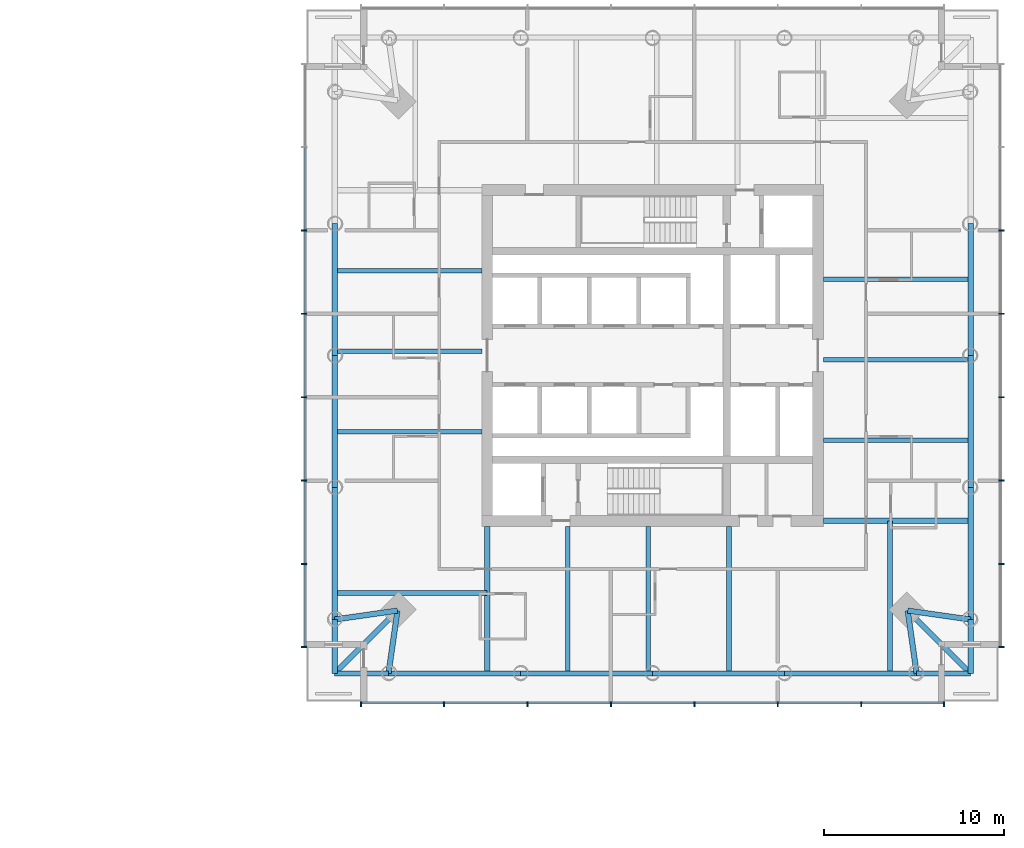
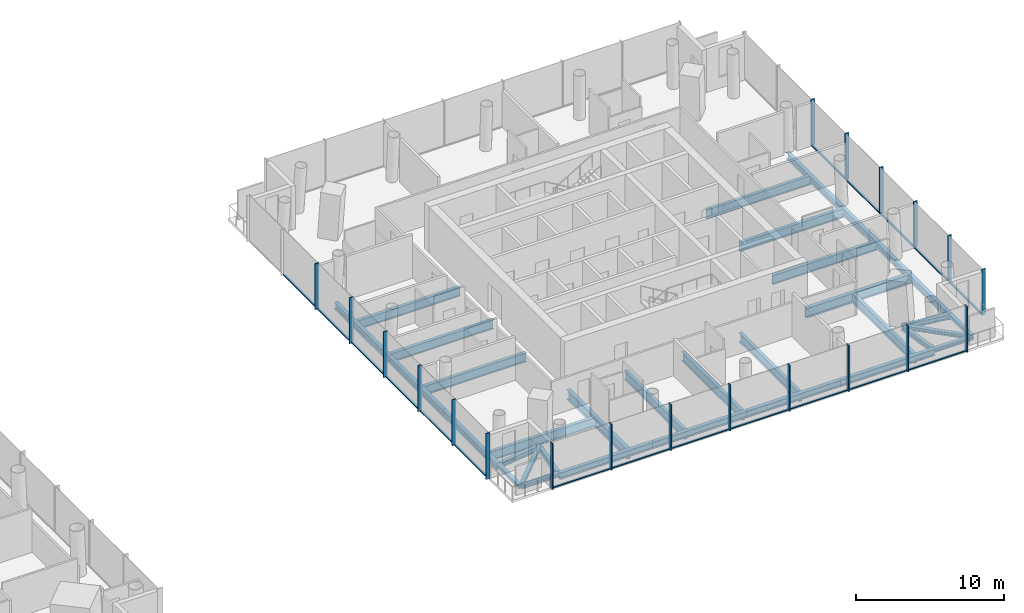
# One storey, part 5 of 26: 38 members, 33 beams, 3 elements without a shape of their own.
"""IFC4 building model written with IfcOpenShell, lengths in metres."""

from ifc_helpers import new_model, si_unit, direction, frame, origin, origin_2d, place, context, subcontext, project, spatial, rectangle, i_section, extrude, material, material_profile, profile_set, type_object, element, aggregate, save


model = new_model("IFC4")

# Units and contexts
model_context = context("Model", 3, precision=1e-05, world=origin(), true_north=direction((0.0, 1.0)))
body_context = subcontext(model_context, "Body", "Model", "MODEL_VIEW")
ifc_project = project(units=[si_unit("LENGTHUNIT", "METRE"), si_unit("AREAUNIT", "SQUARE_METRE"), si_unit("VOLUMEUNIT", "CUBIC_METRE"), si_unit("PLANEANGLEUNIT", "RADIAN"), si_unit("MASSUNIT", "GRAM", prefix="KILO")], contexts=[model_context])

# Site, building, storey
site_placement = place(None, origin())
site = spatial("IfcSite", under=ifc_project, at=site_placement, CompositionType="ELEMENT")
building_placement = place(site_placement, origin())
building = spatial("IfcBuilding", under=site, at=building_placement, Name="Ostroluk Exchange", CompositionType="ELEMENT")
storey_placement = place(building_placement, frame((0.0, 0.0, 51.39990234375)))
storey = spatial("IfcBuildingStorey", under=building, at=storey_placement, Name="L12", CompositionType="ELEMENT", Elevation=51.39990234375)

# Beams
ifc_material_1 = material(Name="Steel S355", Category="steel")
ifc_material_profile_1 = material_profile(ifc_material_1, i_section(OverallWidth=0.300048828125, OverallDepth=0.300048828125, WebThickness=0.010986328125, FlangeThickness=0.01904296875, FilletRadius=0.027099609375, at=origin_2d()), Name="HEB 300")
ifc_profile_set_1 = profile_set([ifc_material_profile_1], Name="Steel S355")
beam_type_1 = type_object("IfcBeamType", Name="Balcony beam HEB 300", PredefinedType="BEAM", material=ifc_profile_set_1)
for number, where, z_axis, x_axis, name in (
    (1, (99.310302734375, 31.310302734375, -0.349853515625), (0.0, -1.0, 0.0), (1.0, 0.0, 0.0), "T2 west balcony beam a"),
    (2, (102.310302734375, 28.310302734375, -0.349853515625), (-1.0, 0.0, 0.0), (0.0, -1.0, 0.0), "T2 west balcony beam b"),
):
    element("IfcBeam", number, at=place(storey_placement, frame(where, z_axis=z_axis, x_axis=x_axis)), inside=storey, type_object=beam_type_1, Name=name, PredefinedType="BEAM", context=body_context, shape_type="SweptSolid", body=[
        extrude(i_section(OverallWidth=0.300048828125, OverallDepth=0.300048828125, WebThickness=0.010986328125, FlangeThickness=0.01904296875, FilletRadius=0.027099609375, at=origin_2d()), origin(), (0.0, 0.0, 1.0), 3.0),
    ])
beam_1_placement = place(storey_placement, frame((102.810302734375, 31.810302734375, -0.349853515625), z_axis=(-0.707106781187, -0.707106781187, 0.0), x_axis=(0.707106781187, -0.707106781187, 0.0)))
element("IfcBeam", 3, at=beam_1_placement, inside=storey, type_object=beam_type_1, Name="T2 west balcony beam c", PredefinedType="BEAM", context=body_context, shape_type="SweptSolid", body=[
    extrude(i_section(OverallWidth=0.300048828125, OverallDepth=0.300048828125, WebThickness=0.010986328125, FlangeThickness=0.01904296875, FilletRadius=0.027099609375, at=origin_2d()), origin(), (0.0, 0.0, 1.0), 4.94970703125),
])
for number, where, z_axis, x_axis, name in (
    (4, (131.689697265625, 28.310302734375, -0.349853515625), (1.0, 0.0, 0.0), (0.0, 1.0, 0.0), "T2 south balcony beam a"),
    (5, (134.689697265625, 31.310302734375, -0.349853515625), (0.0, -1.0, 0.0), (1.0, 0.0, 0.0), "T2 south balcony beam b"),
):
    element("IfcBeam", number, at=place(storey_placement, frame(where, z_axis=z_axis, x_axis=x_axis)), inside=storey, type_object=beam_type_1, Name=name, PredefinedType="BEAM", context=body_context, shape_type="SweptSolid", body=[
        extrude(i_section(OverallWidth=0.300048828125, OverallDepth=0.300048828125, WebThickness=0.010986328125, FlangeThickness=0.01904296875, FilletRadius=0.027099609375, at=origin_2d()), origin(), (0.0, 0.0, 1.0), 3.0),
    ])
beam_2_placement = place(storey_placement, frame((131.189697265625, 31.810302734375, -0.349853515625), z_axis=(0.707106781187, -0.707106781187, 0.0), x_axis=(0.707106781187, 0.707106781187, 0.0)))
element("IfcBeam", 6, at=beam_2_placement, inside=storey, type_object=beam_type_1, Name="T2 south balcony beam c", PredefinedType="BEAM", context=body_context, shape_type="SweptSolid", body=[
    extrude(i_section(OverallWidth=0.300048828125, OverallDepth=0.300048828125, WebThickness=0.010986328125, FlangeThickness=0.01904296875, FilletRadius=0.027099609375, at=origin_2d()), origin(), (0.0, 0.0, 1.0), 4.94970703125),
])
ifc_material_2 = material(Name="Steel S355", Category="steel")
ifc_material_profile_2 = material_profile(ifc_material_2, i_section(OverallWidth=0.300048828125, OverallDepth=0.39990234375, WebThickness=0.013427734375, FlangeThickness=0.02392578125, FilletRadius=0.027099609375, at=origin_2d()), Name="HEB 400")
ifc_profile_set_2 = profile_set([ifc_material_profile_2], Name="Steel S355")
beam_type_2 = type_object("IfcBeamType", Name="Corner edge beam HEB 400", PredefinedType="SPANDREL", material=ifc_profile_set_2)
for number, where, z_axis, x_axis, name in (
    (7, (102.810302734375, 31.810302734375, -0.39990234375), (-0.989949493661, -0.141421356237, 0.0), (0.141421356237, -0.989949493661, 0.0), "T2 west corner edge beam a"),
    (8, (102.810302734375, 31.810302734375, -0.39990234375), (-0.141421356237, -0.989949493661, 0.0), (0.989949493661, -0.141421356237, 0.0), "T2 west corner edge beam b"),
    (9, (131.189697265625, 31.810302734375, -0.39990234375), (0.141421356237, -0.989949493661, 0.0), (0.989949493661, 0.141421356237, 0.0), "T2 south corner edge beam a"),
    (10, (131.189697265625, 31.810302734375, -0.39990234375), (0.989949493661, -0.141421356237, 0.0), (0.141421356237, 0.989949493661, 0.0), "T2 south corner edge beam b"),
):
    element("IfcBeam", number, at=place(storey_placement, frame(where, z_axis=z_axis, x_axis=x_axis)), inside=storey, type_object=beam_type_2, Name=name, PredefinedType="SPANDREL", context=body_context, shape_type="SweptSolid", body=[
        extrude(i_section(OverallWidth=0.300048828125, OverallDepth=0.39990234375, WebThickness=0.013427734375, FlangeThickness=0.02392578125, FilletRadius=0.027099609375, at=origin_2d()), origin(), (0.0, 0.0, 1.0), 3.53564453125),
    ])
ifc_material_3 = material(Name="Steel S355", Category="steel")
ifc_material_profile_3 = material_profile(ifc_material_3, i_section(OverallWidth=0.264892578125, OverallDepth=0.7529296875, WebThickness=0.01318359375, FlangeThickness=0.01708984375, FilletRadius=0.01708984375, at=origin_2d()), Name="IPE 750x147")
ifc_profile_set_3 = profile_set([ifc_material_profile_3], Name="Steel S355")
beam_type_3 = type_object("IfcBeamType", Name="Floor beam IPE 750x147", PredefinedType="BEAM", material=ifc_profile_set_3)
for number, where, z_axis, x_axis, name in (
    (11, (126.5, 41.281494140625, -0.576416015625), (1.0, 0.0, 0.0), (0.0, 1.0, 0.0), "T2 east floor beam 1"),
    (12, (126.5, 45.76318359375, -0.576416015625), (1.0, 0.0, 0.0), (0.0, 1.0, 0.0), "T2 east floor beam 2"),
    (13, (126.5, 50.244873046875, -0.576416015625), (1.0, 0.0, 0.0), (0.0, 1.0, 0.0), "T2 east floor beam 3"),
    (14, (107.5, 50.718505859375, -0.576416015625), (-1.0, 0.0, 0.0), (0.0, -1.0, 0.0), "T2 west floor beam 1"),
    (15, (107.5, 46.23681640625, -0.576416015625), (-1.0, 0.0, 0.0), (0.0, -1.0, 0.0), "T2 west floor beam 2"),
    (16, (107.5, 41.755126953125, -0.576416015625), (-1.0, 0.0, 0.0), (0.0, -1.0, 0.0), "T2 west floor beam 3"),
):
    element("IfcBeam", number, at=place(storey_placement, frame(where, z_axis=z_axis, x_axis=x_axis)), inside=storey, type_object=beam_type_3, Name=name, PredefinedType="BEAM", context=body_context, shape_type="SweptSolid", body=[
        extrude(i_section(OverallWidth=0.264892578125, OverallDepth=0.7529296875, WebThickness=0.01318359375, FlangeThickness=0.01708984375, FilletRadius=0.01708984375, at=origin_2d()), origin(), (0.0, 0.0, 1.0), 8.189697265625),
    ])
beam_3_placement = place(storey_placement, frame((107.800048828125, 32.7919921875, -0.576416015625), z_axis=(-1.0, 0.0, 0.0), x_axis=(0.0, -1.0, 0.0)))
element("IfcBeam", 17, at=beam_3_placement, inside=storey, type_object=beam_type_3, Name="T2 west floor beam 5", PredefinedType="BEAM", context=body_context, shape_type="SweptSolid", body=[
    extrude(i_section(OverallWidth=0.264892578125, OverallDepth=0.7529296875, WebThickness=0.01318359375, FlangeThickness=0.01708984375, FilletRadius=0.01708984375, at=origin_2d()), origin(), (0.0, 0.0, 1.0), 8.48974609375),
])
for number, where, z_axis, x_axis, name in (
    (18, (112.281494140625, 36.5, -0.576416015625), (0.0, -1.0, 0.0), (1.0, 0.0, 0.0), "T2 south floor beam 1"),
    (19, (116.76318359375, 36.5, -0.576416015625), (0.0, -1.0, 0.0), (1.0, 0.0, 0.0), "T2 south floor beam 2"),
    (20, (121.244873046875, 36.5, -0.576416015625), (0.0, -1.0, 0.0), (1.0, 0.0, 0.0), "T2 south floor beam 3"),
):
    element("IfcBeam", number, at=place(storey_placement, frame(where, z_axis=z_axis, x_axis=x_axis)), inside=storey, type_object=beam_type_3, Name=name, PredefinedType="BEAM", context=body_context, shape_type="SweptSolid", body=[
        extrude(i_section(OverallWidth=0.264892578125, OverallDepth=0.7529296875, WebThickness=0.01318359375, FlangeThickness=0.01708984375, FilletRadius=0.01708984375, at=origin_2d()), origin(), (0.0, 0.0, 1.0), 8.189697265625),
    ])
beam_4_placement = place(storey_placement, frame((130.2080078125, 36.800048828125, -0.576416015625), z_axis=(0.0, -1.0, 0.0), x_axis=(1.0, 0.0, 0.0)))
element("IfcBeam", 21, at=beam_4_placement, inside=storey, type_object=beam_type_3, Name="T2 south floor beam 5", PredefinedType="BEAM", context=body_context, shape_type="SweptSolid", body=[
    extrude(i_section(OverallWidth=0.264892578125, OverallDepth=0.7529296875, WebThickness=0.01318359375, FlangeThickness=0.01708984375, FilletRadius=0.01708984375, at=origin_2d()), origin(), (0.0, 0.0, 1.0), 8.48974609375),
])
ifc_material_4 = material(Name="Steel S355", Category="steel")
ifc_material_profile_4 = material_profile(ifc_material_4, i_section(OverallWidth=0.300048828125, OverallDepth=0.800048828125, WebThickness=0.017578125, FlangeThickness=0.032958984375, FilletRadius=0.030029296875, at=origin_2d()), Name="HEB 800")
ifc_profile_set_4 = profile_set([ifc_material_profile_4], Name="Steel S355")
beam_type_4 = type_object("IfcBeamType", Name="Girder HEB 800", PredefinedType="BEAM", material=ifc_profile_set_4)
for number, where, z_axis, x_axis, name in (
    (22, (107.800048828125, 36.5, -0.599853515625), (0.0, -1.0, 0.0), (1.0, 0.0, 0.0), "T2 west girder"),
    (23, (126.5, 36.800048828125, -0.599853515625), (1.0, 0.0, 0.0), (0.0, 1.0, 0.0), "T2 south girder"),
):
    element("IfcBeam", number, at=place(storey_placement, frame(where, z_axis=z_axis, x_axis=x_axis)), inside=storey, type_object=beam_type_4, Name=name, PredefinedType="BEAM", context=body_context, shape_type="SweptSolid", body=[
        extrude(i_section(OverallWidth=0.300048828125, OverallDepth=0.800048828125, WebThickness=0.017578125, FlangeThickness=0.032958984375, FilletRadius=0.030029296875, at=origin_2d()), origin(), (0.0, 0.0, 1.0), 8.189697265625),
    ])
ifc_material_5 = material(Name="Steel S355", Category="steel")
ifc_material_profile_5 = material_profile(ifc_material_5, i_section(OverallWidth=0.300048828125, OverallDepth=0.550048828125, WebThickness=0.014892578125, FlangeThickness=0.029052734375, FilletRadius=0.027099609375, at=origin_2d()), Name="HEB 550")
ifc_profile_set_5 = profile_set([ifc_material_profile_5], Name="Steel S355")
beam_type_5 = type_object("IfcBeamType", Name="Moment-connected edge beam HEB 550", PredefinedType="SPANDREL", material=ifc_profile_set_5)
beam_5_placement = place(storey_placement, frame((134.689697265625, 31.310302734375, -0.474853515625), z_axis=(0.0, 1.0, 0.0), x_axis=(-1.0, 0.0, 0.0)))
element("IfcBeam", 24, at=beam_5_placement, inside=storey, type_object=beam_type_5, Name="T2 east edge beam 1", PredefinedType="SPANDREL", context=body_context, shape_type="SweptSolid", body=[
    extrude(i_section(OverallWidth=0.300048828125, OverallDepth=0.550048828125, WebThickness=0.014892578125, FlangeThickness=0.029052734375, FilletRadius=0.027099609375, at=origin_2d()), origin(), (0.0, 0.0, 1.0), 7.344970703125),
])
for number, where, z_axis, x_axis, name in (
    (25, (134.689697265625, 38.6552734375, -0.474853515625), (0.0, 1.0, 0.0), (-1.0, 0.0, 0.0), "T2 east edge beam 2"),
    (26, (134.689697265625, 46.0, -0.474853515625), (0.0, 1.0, 0.0), (-1.0, 0.0, 0.0), "T2 east edge beam 3"),
    (27, (99.310302734375, 53.3447265625, -0.474853515625), (0.0, -1.0, 0.0), (1.0, 0.0, 0.0), "T2 west edge beam 2"),
    (28, (99.310302734375, 46.0, -0.474853515625), (0.0, -1.0, 0.0), (1.0, 0.0, 0.0), "T2 west edge beam 3"),
):
    element("IfcBeam", number, at=place(storey_placement, frame(where, z_axis=z_axis, x_axis=x_axis)), inside=storey, type_object=beam_type_5, Name=name, PredefinedType="SPANDREL", context=body_context, shape_type="SweptSolid", body=[
        extrude(i_section(OverallWidth=0.300048828125, OverallDepth=0.550048828125, WebThickness=0.014892578125, FlangeThickness=0.029052734375, FilletRadius=0.027099609375, at=origin_2d()), origin(), (0.0, 0.0, 1.0), 7.3447265625),
    ])
for number, where, z_axis, x_axis, name in (
    (29, (99.310302734375, 38.6552734375, -0.474853515625), (0.0, -1.0, 0.0), (1.0, 0.0, 0.0), "T2 west edge beam 4"),
    (30, (102.310302734375, 28.310302734375, -0.474853515625), (1.0, 0.0, 0.0), (0.0, 1.0, 0.0), "T2 south edge beam 1"),
):
    element("IfcBeam", number, at=place(storey_placement, frame(where, z_axis=z_axis, x_axis=x_axis)), inside=storey, type_object=beam_type_5, Name=name, PredefinedType="SPANDREL", context=body_context, shape_type="SweptSolid", body=[
        extrude(i_section(OverallWidth=0.300048828125, OverallDepth=0.550048828125, WebThickness=0.014892578125, FlangeThickness=0.029052734375, FilletRadius=0.027099609375, at=origin_2d()), origin(), (0.0, 0.0, 1.0), 7.344970703125),
    ])
for number, where, z_axis, x_axis, name in (
    (31, (109.6552734375, 28.310302734375, -0.474853515625), (1.0, 0.0, 0.0), (0.0, 1.0, 0.0), "T2 south edge beam 2"),
    (32, (117.0, 28.310302734375, -0.474853515625), (1.0, 0.0, 0.0), (0.0, 1.0, 0.0), "T2 south edge beam 3"),
):
    element("IfcBeam", number, at=place(storey_placement, frame(where, z_axis=z_axis, x_axis=x_axis)), inside=storey, type_object=beam_type_5, Name=name, PredefinedType="SPANDREL", context=body_context, shape_type="SweptSolid", body=[
        extrude(i_section(OverallWidth=0.300048828125, OverallDepth=0.550048828125, WebThickness=0.014892578125, FlangeThickness=0.029052734375, FilletRadius=0.027099609375, at=origin_2d()), origin(), (0.0, 0.0, 1.0), 7.3447265625),
    ])
beam_6_placement = place(storey_placement, frame((124.3447265625, 28.310302734375, -0.474853515625), z_axis=(1.0, 0.0, 0.0), x_axis=(0.0, 1.0, 0.0)))
element("IfcBeam", 33, at=beam_6_placement, inside=storey, type_object=beam_type_5, Name="T2 south edge beam 4", PredefinedType="SPANDREL", context=body_context, shape_type="SweptSolid", body=[
    extrude(i_section(OverallWidth=0.300048828125, OverallDepth=0.550048828125, WebThickness=0.014892578125, FlangeThickness=0.029052734375, FilletRadius=0.027099609375, at=origin_2d()), origin(), (0.0, 0.0, 1.0), 7.344970703125),
])

# Curtain wall, members
ifc_material_6 = material(Name="Laminated clear glass", Category="glass")
curtain_wall_type = type_object("IfcCurtainWallType", Name="Hotel guest floor facade", PredefinedType="USERDEFINED", material=ifc_material_6)
curtain_wall_1_placement = place(storey_placement, origin())
curtain_wall_1 = element("IfcCurtainWall", 34, at=curtain_wall_1_placement, inside=storey, type_object=curtain_wall_type, Name="Hotel tower south facade L12", ObjectType="UNITISED CURTAIN WALL", PredefinedType="USERDEFINED")
ifc_material_7 = material(Name="Aluminium mullion", Category="aluminium")
ifc_material_profile_6 = material_profile(ifc_material_7, rectangle(XDim=0.14990234375, YDim=0.080078125, at=origin_2d()), Name="Sill transom 80 x 150")
ifc_profile_set_6 = profile_set([ifc_material_profile_6], Name="Aluminium mullion")
member_type_1 = type_object("IfcMemberType", Name="Sill transom 80 x 150", PredefinedType="USERDEFINED", material=ifc_profile_set_6)
member_1_placement = place(storey_placement, frame((100.830078125, 26.675048828125, 0.0400390625), z_axis=(1.0, 0.0, 0.0), x_axis=(0.0, 1.0, 0.0)))
member_1 = element("IfcMember", 35, at=member_1_placement, type_object=member_type_1, Name="CW-H1 transom 1.1", ObjectType="TRANSOM", PredefinedType="USERDEFINED", context=body_context, shape_type="SweptSolid", body=[
    extrude(rectangle(XDim=0.14990234375, YDim=0.080078125, at=origin_2d()), origin(), (0.0, 0.0, 1.0), 4.522705078125),
])
member_2_placement = place(storey_placement, frame((105.432861328125, 26.675048828125, 0.0400390625), z_axis=(1.0, 0.0, 0.0), x_axis=(0.0, 1.0, 0.0)))
member_2 = element("IfcMember", 36, at=member_2_placement, type_object=member_type_1, Name="CW-H1 transom 2.1", ObjectType="TRANSOM", PredefinedType="USERDEFINED", context=body_context, shape_type="SweptSolid", body=[
    extrude(rectangle(XDim=0.14990234375, YDim=0.080078125, at=origin_2d()), origin(), (0.0, 0.0, 1.0), 4.562744140625),
])
member_3_placement = place(storey_placement, frame((110.07568359375, 26.675048828125, 0.0400390625), z_axis=(1.0, 0.0, 0.0), x_axis=(0.0, 1.0, 0.0)))
member_3 = element("IfcMember", 37, at=member_3_placement, type_object=member_type_1, Name="CW-H1 transom 3.1", ObjectType="TRANSOM", PredefinedType="USERDEFINED", context=body_context, shape_type="SweptSolid", body=[
    extrude(rectangle(XDim=0.14990234375, YDim=0.080078125, at=origin_2d()), origin(), (0.0, 0.0, 1.0), 4.56298828125),
])
member_4_placement = place(storey_placement, frame((114.718505859375, 26.675048828125, 0.0400390625), z_axis=(1.0, 0.0, 0.0), x_axis=(0.0, 1.0, 0.0)))
member_4 = element("IfcMember", 38, at=member_4_placement, type_object=member_type_1, Name="CW-H1 transom 4.1", ObjectType="TRANSOM", PredefinedType="USERDEFINED", context=body_context, shape_type="SweptSolid", body=[
    extrude(rectangle(XDim=0.14990234375, YDim=0.080078125, at=origin_2d()), origin(), (0.0, 0.0, 1.0), 4.56298828125),
])
member_5_placement = place(storey_placement, frame((119.361328125, 26.675048828125, 0.0400390625), z_axis=(1.0, 0.0, 0.0), x_axis=(0.0, 1.0, 0.0)))
member_5 = element("IfcMember", 39, at=member_5_placement, type_object=member_type_1, Name="CW-H1 transom 5.1", ObjectType="TRANSOM", PredefinedType="USERDEFINED", context=body_context, shape_type="SweptSolid", body=[
    extrude(rectangle(XDim=0.14990234375, YDim=0.080078125, at=origin_2d()), origin(), (0.0, 0.0, 1.0), 4.56298828125),
])
member_6_placement = place(storey_placement, frame((124.00439453125, 26.675048828125, 0.0400390625), z_axis=(1.0, 0.0, 0.0), x_axis=(0.0, 1.0, 0.0)))
member_6 = element("IfcMember", 40, at=member_6_placement, type_object=member_type_1, Name="CW-H1 transom 6.1", ObjectType="TRANSOM", PredefinedType="USERDEFINED", context=body_context, shape_type="SweptSolid", body=[
    extrude(rectangle(XDim=0.14990234375, YDim=0.080078125, at=origin_2d()), origin(), (0.0, 0.0, 1.0), 4.562744140625),
])
member_7_placement = place(storey_placement, frame((128.647216796875, 26.675048828125, 0.0400390625), z_axis=(1.0, 0.0, 0.0), x_axis=(0.0, 1.0, 0.0)))
member_7 = element("IfcMember", 41, at=member_7_placement, type_object=member_type_1, Name="CW-H1 transom 7.1", ObjectType="TRANSOM", PredefinedType="USERDEFINED", context=body_context, shape_type="SweptSolid", body=[
    extrude(rectangle(XDim=0.14990234375, YDim=0.080078125, at=origin_2d()), origin(), (0.0, 0.0, 1.0), 4.522705078125),
])

curtain_wall_2_placement = place(storey_placement, origin())
curtain_wall_2 = element("IfcCurtainWall", 42, at=curtain_wall_2_placement, inside=storey, type_object=curtain_wall_type, Name="Hotel tower east facade L12", ObjectType="UNITISED CURTAIN WALL", PredefinedType="USERDEFINED")
member_8_placement = place(storey_placement, frame((136.324951171875, 29.830078125, 0.0400390625), z_axis=(0.0, 1.0, 0.0), x_axis=(-1.0, 0.0, 0.0)))
member_8 = element("IfcMember", 43, at=member_8_placement, type_object=member_type_1, Name="CW-H1 transom 1.1", ObjectType="TRANSOM", PredefinedType="USERDEFINED", context=body_context, shape_type="SweptSolid", body=[
    extrude(rectangle(XDim=0.14990234375, YDim=0.080078125, at=origin_2d()), origin(), (0.0, 0.0, 1.0), 4.522705078125),
])
member_9_placement = place(storey_placement, frame((136.324951171875, 34.432861328125, 0.0400390625), z_axis=(0.0, 1.0, 0.0), x_axis=(-1.0, 0.0, 0.0)))
member_9 = element("IfcMember", 44, at=member_9_placement, type_object=member_type_1, Name="CW-H1 transom 2.1", ObjectType="TRANSOM", PredefinedType="USERDEFINED", context=body_context, shape_type="SweptSolid", body=[
    extrude(rectangle(XDim=0.14990234375, YDim=0.080078125, at=origin_2d()), origin(), (0.0, 0.0, 1.0), 4.562744140625),
])
member_10_placement = place(storey_placement, frame((136.324951171875, 39.07568359375, 0.0400390625), z_axis=(0.0, 1.0, 0.0), x_axis=(-1.0, 0.0, 0.0)))
member_10 = element("IfcMember", 45, at=member_10_placement, type_object=member_type_1, Name="CW-H1 transom 3.1", ObjectType="TRANSOM", PredefinedType="USERDEFINED", context=body_context, shape_type="SweptSolid", body=[
    extrude(rectangle(XDim=0.14990234375, YDim=0.080078125, at=origin_2d()), origin(), (0.0, 0.0, 1.0), 4.56298828125),
])
member_11_placement = place(storey_placement, frame((136.324951171875, 43.718505859375, 0.0400390625), z_axis=(0.0, 1.0, 0.0), x_axis=(-1.0, 0.0, 0.0)))
member_11 = element("IfcMember", 46, at=member_11_placement, type_object=member_type_1, Name="CW-H1 transom 4.1", ObjectType="TRANSOM", PredefinedType="USERDEFINED", context=body_context, shape_type="SweptSolid", body=[
    extrude(rectangle(XDim=0.14990234375, YDim=0.080078125, at=origin_2d()), origin(), (0.0, 0.0, 1.0), 4.56298828125),
])
member_12_placement = place(storey_placement, frame((136.324951171875, 48.361328125, 0.0400390625), z_axis=(0.0, 1.0, 0.0), x_axis=(-1.0, 0.0, 0.0)))
member_12 = element("IfcMember", 47, at=member_12_placement, type_object=member_type_1, Name="CW-H1 transom 5.1", ObjectType="TRANSOM", PredefinedType="USERDEFINED", context=body_context, shape_type="SweptSolid", body=[
    extrude(rectangle(XDim=0.14990234375, YDim=0.080078125, at=origin_2d()), origin(), (0.0, 0.0, 1.0), 4.56298828125),
])

curtain_wall_3_placement = place(storey_placement, origin())
curtain_wall_3 = element("IfcCurtainWall", 48, at=curtain_wall_3_placement, inside=storey, type_object=curtain_wall_type, Name="Hotel tower west facade L12", ObjectType="UNITISED CURTAIN WALL", PredefinedType="USERDEFINED")
member_13_placement = place(storey_placement, frame((97.675048828125, 57.567138671875, 0.0400390625), z_axis=(0.0, -1.0, 0.0), x_axis=(1.0, 0.0, 0.0)))
member_13 = element("IfcMember", 49, at=member_13_placement, type_object=member_type_1, Name="CW-H1 transom 2.1", ObjectType="TRANSOM", PredefinedType="USERDEFINED", context=body_context, shape_type="SweptSolid", body=[
    extrude(rectangle(XDim=0.14990234375, YDim=0.080078125, at=origin_2d()), origin(), (0.0, 0.0, 1.0), 4.562744140625),
])
member_14_placement = place(storey_placement, frame((97.675048828125, 52.92431640625, 0.0400390625), z_axis=(0.0, -1.0, 0.0), x_axis=(1.0, 0.0, 0.0)))
member_14 = element("IfcMember", 50, at=member_14_placement, type_object=member_type_1, Name="CW-H1 transom 3.1", ObjectType="TRANSOM", PredefinedType="USERDEFINED", context=body_context, shape_type="SweptSolid", body=[
    extrude(rectangle(XDim=0.14990234375, YDim=0.080078125, at=origin_2d()), origin(), (0.0, 0.0, 1.0), 4.56298828125),
])
member_15_placement = place(storey_placement, frame((97.675048828125, 48.281494140625, 0.0400390625), z_axis=(0.0, -1.0, 0.0), x_axis=(1.0, 0.0, 0.0)))
member_15 = element("IfcMember", 51, at=member_15_placement, type_object=member_type_1, Name="CW-H1 transom 4.1", ObjectType="TRANSOM", PredefinedType="USERDEFINED", context=body_context, shape_type="SweptSolid", body=[
    extrude(rectangle(XDim=0.14990234375, YDim=0.080078125, at=origin_2d()), origin(), (0.0, 0.0, 1.0), 4.56298828125),
])
member_16_placement = place(storey_placement, frame((97.675048828125, 43.638671875, 0.0400390625), z_axis=(0.0, -1.0, 0.0), x_axis=(1.0, 0.0, 0.0)))
member_16 = element("IfcMember", 52, at=member_16_placement, type_object=member_type_1, Name="CW-H1 transom 5.1", ObjectType="TRANSOM", PredefinedType="USERDEFINED", context=body_context, shape_type="SweptSolid", body=[
    extrude(rectangle(XDim=0.14990234375, YDim=0.080078125, at=origin_2d()), origin(), (0.0, 0.0, 1.0), 4.56298828125),
])
member_17_placement = place(storey_placement, frame((97.675048828125, 38.99560546875, 0.0400390625), z_axis=(0.0, -1.0, 0.0), x_axis=(1.0, 0.0, 0.0)))
member_17 = element("IfcMember", 53, at=member_17_placement, type_object=member_type_1, Name="CW-H1 transom 6.1", ObjectType="TRANSOM", PredefinedType="USERDEFINED", context=body_context, shape_type="SweptSolid", body=[
    extrude(rectangle(XDim=0.14990234375, YDim=0.080078125, at=origin_2d()), origin(), (0.0, 0.0, 1.0), 4.562744140625),
])
member_18_placement = place(storey_placement, frame((97.675048828125, 34.352783203125, 0.0400390625), z_axis=(0.0, -1.0, 0.0), x_axis=(1.0, 0.0, 0.0)))
member_18 = element("IfcMember", 54, at=member_18_placement, type_object=member_type_1, Name="CW-H1 transom 7.1", ObjectType="TRANSOM", PredefinedType="USERDEFINED", context=body_context, shape_type="SweptSolid", body=[
    extrude(rectangle(XDim=0.14990234375, YDim=0.080078125, at=origin_2d()), origin(), (0.0, 0.0, 1.0), 4.522705078125),
])

# Member
ifc_material_8 = material(Name="Aluminium mullion with limestone facing", Category="masonry")
ifc_material_profile_7 = material_profile(ifc_material_8, rectangle(XDim=0.300048828125, YDim=0.080078125, at=origin_2d()), Name="Tracery mullion 80 x 300")
ifc_profile_set_7 = profile_set([ifc_material_profile_7], Name="Aluminium mullion with limestone facing")
member_type_2 = type_object("IfcMemberType", Name="Tracery mullion 80 x 300", PredefinedType="MULLION", material=ifc_profile_set_7)
member_19_placement = place(storey_placement, frame((100.7900390625, 26.60009765625, 0.0), z_axis=(0.0, 0.0, 1.0), x_axis=(0.0, 1.0, 0.0)))
member_19 = element("IfcMember", 55, at=member_19_placement, type_object=member_type_2, Name="CW-H1 mullion 1", PredefinedType="MULLION", context=body_context, shape_type="SweptSolid", body=[
    extrude(rectangle(XDim=0.300048828125, YDim=0.080078125, at=origin_2d()), origin(), (0.0, 0.0, 1.0), 3.800048828125),
])

member_20_placement = place(storey_placement, frame((105.392822265625, 26.60009765625, 0.0), z_axis=(0.0, 0.0, 1.0), x_axis=(0.0, 1.0, 0.0)))
member_20 = element("IfcMember", 56, at=member_20_placement, type_object=member_type_2, Name="CW-H1 mullion 2", PredefinedType="MULLION", context=body_context, shape_type="SweptSolid", body=[
    extrude(rectangle(XDim=0.300048828125, YDim=0.080078125, at=origin_2d()), origin(), (0.0, 0.0, 1.0), 3.800048828125),
])

member_21_placement = place(storey_placement, frame((110.03564453125, 26.60009765625, 0.0), z_axis=(0.0, 0.0, 1.0), x_axis=(0.0, 1.0, 0.0)))
member_21 = element("IfcMember", 57, at=member_21_placement, type_object=member_type_2, Name="CW-H1 mullion 3", PredefinedType="MULLION", context=body_context, shape_type="SweptSolid", body=[
    extrude(rectangle(XDim=0.300048828125, YDim=0.080078125, at=origin_2d()), origin(), (0.0, 0.0, 1.0), 3.800048828125),
])

member_22_placement = place(storey_placement, frame((114.678466796875, 26.60009765625, 0.0), z_axis=(0.0, 0.0, 1.0), x_axis=(0.0, 1.0, 0.0)))
member_22 = element("IfcMember", 58, at=member_22_placement, type_object=member_type_2, Name="CW-H1 mullion 4", PredefinedType="MULLION", context=body_context, shape_type="SweptSolid", body=[
    extrude(rectangle(XDim=0.300048828125, YDim=0.080078125, at=origin_2d()), origin(), (0.0, 0.0, 1.0), 3.800048828125),
])

member_23_placement = place(storey_placement, frame((119.321533203125, 26.60009765625, 0.0), z_axis=(0.0, 0.0, 1.0), x_axis=(0.0, 1.0, 0.0)))
member_23 = element("IfcMember", 59, at=member_23_placement, type_object=member_type_2, Name="CW-H1 mullion 5", PredefinedType="MULLION", context=body_context, shape_type="SweptSolid", body=[
    extrude(rectangle(XDim=0.300048828125, YDim=0.080078125, at=origin_2d()), origin(), (0.0, 0.0, 1.0), 3.800048828125),
])

member_24_placement = place(storey_placement, frame((123.96435546875, 26.60009765625, 0.0), z_axis=(0.0, 0.0, 1.0), x_axis=(0.0, 1.0, 0.0)))
member_24 = element("IfcMember", 60, at=member_24_placement, type_object=member_type_2, Name="CW-H1 mullion 6", PredefinedType="MULLION", context=body_context, shape_type="SweptSolid", body=[
    extrude(rectangle(XDim=0.300048828125, YDim=0.080078125, at=origin_2d()), origin(), (0.0, 0.0, 1.0), 3.800048828125),
])

member_25_placement = place(storey_placement, frame((128.607177734375, 26.60009765625, 0.0), z_axis=(0.0, 0.0, 1.0), x_axis=(0.0, 1.0, 0.0)))
member_25 = element("IfcMember", 61, at=member_25_placement, type_object=member_type_2, Name="CW-H1 mullion 7", PredefinedType="MULLION", context=body_context, shape_type="SweptSolid", body=[
    extrude(rectangle(XDim=0.300048828125, YDim=0.080078125, at=origin_2d()), origin(), (0.0, 0.0, 1.0), 3.800048828125),
])

member_26_placement = place(storey_placement, frame((133.2099609375, 26.60009765625, 0.0), z_axis=(0.0, 0.0, 1.0), x_axis=(0.0, 1.0, 0.0)))
member_26 = element("IfcMember", 62, at=member_26_placement, type_object=member_type_2, Name="CW-H1 mullion 8", PredefinedType="MULLION", context=body_context, shape_type="SweptSolid", body=[
    extrude(rectangle(XDim=0.300048828125, YDim=0.080078125, at=origin_2d()), origin(), (0.0, 0.0, 1.0), 3.800048828125),
])

aggregate(curtain_wall_1, [member_19, member_20, member_21, member_22, member_23, member_24, member_25, member_26, member_1, member_2, member_3, member_4, member_5, member_6, member_7])

member_27_placement = place(storey_placement, frame((136.39990234375, 29.7900390625, 0.0), z_axis=(0.0, 0.0, 1.0), x_axis=(-1.0, 0.0, 0.0)))
member_27 = element("IfcMember", 63, at=member_27_placement, type_object=member_type_2, Name="CW-H1 mullion 1", PredefinedType="MULLION", context=body_context, shape_type="SweptSolid", body=[
    extrude(rectangle(XDim=0.300048828125, YDim=0.080078125, at=origin_2d()), origin(), (0.0, 0.0, 1.0), 3.800048828125),
])

member_28_placement = place(storey_placement, frame((136.39990234375, 34.392822265625, 0.0), z_axis=(0.0, 0.0, 1.0), x_axis=(-1.0, 0.0, 0.0)))
member_28 = element("IfcMember", 64, at=member_28_placement, type_object=member_type_2, Name="CW-H1 mullion 2", PredefinedType="MULLION", context=body_context, shape_type="SweptSolid", body=[
    extrude(rectangle(XDim=0.300048828125, YDim=0.080078125, at=origin_2d()), origin(), (0.0, 0.0, 1.0), 3.800048828125),
])

member_29_placement = place(storey_placement, frame((136.39990234375, 39.03564453125, 0.0), z_axis=(0.0, 0.0, 1.0), x_axis=(-1.0, 0.0, 0.0)))
member_29 = element("IfcMember", 65, at=member_29_placement, type_object=member_type_2, Name="CW-H1 mullion 3", PredefinedType="MULLION", context=body_context, shape_type="SweptSolid", body=[
    extrude(rectangle(XDim=0.300048828125, YDim=0.080078125, at=origin_2d()), origin(), (0.0, 0.0, 1.0), 3.800048828125),
])

member_30_placement = place(storey_placement, frame((136.39990234375, 43.678466796875, 0.0), z_axis=(0.0, 0.0, 1.0), x_axis=(-1.0, 0.0, 0.0)))
member_30 = element("IfcMember", 66, at=member_30_placement, type_object=member_type_2, Name="CW-H1 mullion 4", PredefinedType="MULLION", context=body_context, shape_type="SweptSolid", body=[
    extrude(rectangle(XDim=0.300048828125, YDim=0.080078125, at=origin_2d()), origin(), (0.0, 0.0, 1.0), 3.800048828125),
])

member_31_placement = place(storey_placement, frame((136.39990234375, 48.321533203125, 0.0), z_axis=(0.0, 0.0, 1.0), x_axis=(-1.0, 0.0, 0.0)))
member_31 = element("IfcMember", 67, at=member_31_placement, type_object=member_type_2, Name="CW-H1 mullion 5", PredefinedType="MULLION", context=body_context, shape_type="SweptSolid", body=[
    extrude(rectangle(XDim=0.300048828125, YDim=0.080078125, at=origin_2d()), origin(), (0.0, 0.0, 1.0), 3.800048828125),
])

member_32_placement = place(storey_placement, frame((136.39990234375, 52.96435546875, 0.0), z_axis=(0.0, 0.0, 1.0), x_axis=(-1.0, 0.0, 0.0)))
member_32 = element("IfcMember", 68, at=member_32_placement, type_object=member_type_2, Name="CW-H1 mullion 6", PredefinedType="MULLION", context=body_context, shape_type="SweptSolid", body=[
    extrude(rectangle(XDim=0.300048828125, YDim=0.080078125, at=origin_2d()), origin(), (0.0, 0.0, 1.0), 3.800048828125),
])

aggregate(curtain_wall_2, [member_27, member_28, member_29, member_30, member_31, member_32, member_8, member_9, member_10, member_11, member_12])

member_33_placement = place(storey_placement, frame((97.60009765625, 52.96435546875, 0.0), z_axis=(0.0, 0.0, 1.0), x_axis=(1.0, 0.0, 0.0)))
member_33 = element("IfcMember", 69, at=member_33_placement, type_object=member_type_2, Name="CW-H1 mullion 3", PredefinedType="MULLION", context=body_context, shape_type="SweptSolid", body=[
    extrude(rectangle(XDim=0.300048828125, YDim=0.080078125, at=origin_2d()), origin(), (0.0, 0.0, 1.0), 3.800048828125),
])

member_34_placement = place(storey_placement, frame((97.60009765625, 48.321533203125, 0.0), z_axis=(0.0, 0.0, 1.0), x_axis=(1.0, 0.0, 0.0)))
member_34 = element("IfcMember", 70, at=member_34_placement, type_object=member_type_2, Name="CW-H1 mullion 4", PredefinedType="MULLION", context=body_context, shape_type="SweptSolid", body=[
    extrude(rectangle(XDim=0.300048828125, YDim=0.080078125, at=origin_2d()), origin(), (0.0, 0.0, 1.0), 3.800048828125),
])

member_35_placement = place(storey_placement, frame((97.60009765625, 43.678466796875, 0.0), z_axis=(0.0, 0.0, 1.0), x_axis=(1.0, 0.0, 0.0)))
member_35 = element("IfcMember", 71, at=member_35_placement, type_object=member_type_2, Name="CW-H1 mullion 5", PredefinedType="MULLION", context=body_context, shape_type="SweptSolid", body=[
    extrude(rectangle(XDim=0.300048828125, YDim=0.080078125, at=origin_2d()), origin(), (0.0, 0.0, 1.0), 3.800048828125),
])

member_36_placement = place(storey_placement, frame((97.60009765625, 39.03564453125, 0.0), z_axis=(0.0, 0.0, 1.0), x_axis=(1.0, 0.0, 0.0)))
member_36 = element("IfcMember", 72, at=member_36_placement, type_object=member_type_2, Name="CW-H1 mullion 6", PredefinedType="MULLION", context=body_context, shape_type="SweptSolid", body=[
    extrude(rectangle(XDim=0.300048828125, YDim=0.080078125, at=origin_2d()), origin(), (0.0, 0.0, 1.0), 3.800048828125),
])

member_37_placement = place(storey_placement, frame((97.60009765625, 34.392822265625, 0.0), z_axis=(0.0, 0.0, 1.0), x_axis=(1.0, 0.0, 0.0)))
member_37 = element("IfcMember", 73, at=member_37_placement, type_object=member_type_2, Name="CW-H1 mullion 7", PredefinedType="MULLION", context=body_context, shape_type="SweptSolid", body=[
    extrude(rectangle(XDim=0.300048828125, YDim=0.080078125, at=origin_2d()), origin(), (0.0, 0.0, 1.0), 3.800048828125),
])

member_38_placement = place(storey_placement, frame((97.60009765625, 29.7900390625, 0.0), z_axis=(0.0, 0.0, 1.0), x_axis=(1.0, 0.0, 0.0)))
member_38 = element("IfcMember", 74, at=member_38_placement, type_object=member_type_2, Name="CW-H1 mullion 8", PredefinedType="MULLION", context=body_context, shape_type="SweptSolid", body=[
    extrude(rectangle(XDim=0.300048828125, YDim=0.080078125, at=origin_2d()), origin(), (0.0, 0.0, 1.0), 3.800048828125),
])

aggregate(curtain_wall_3, [member_33, member_34, member_35, member_36, member_37, member_38, member_13, member_14, member_15, member_16, member_17, member_18])

save(model, "model.ifc")
